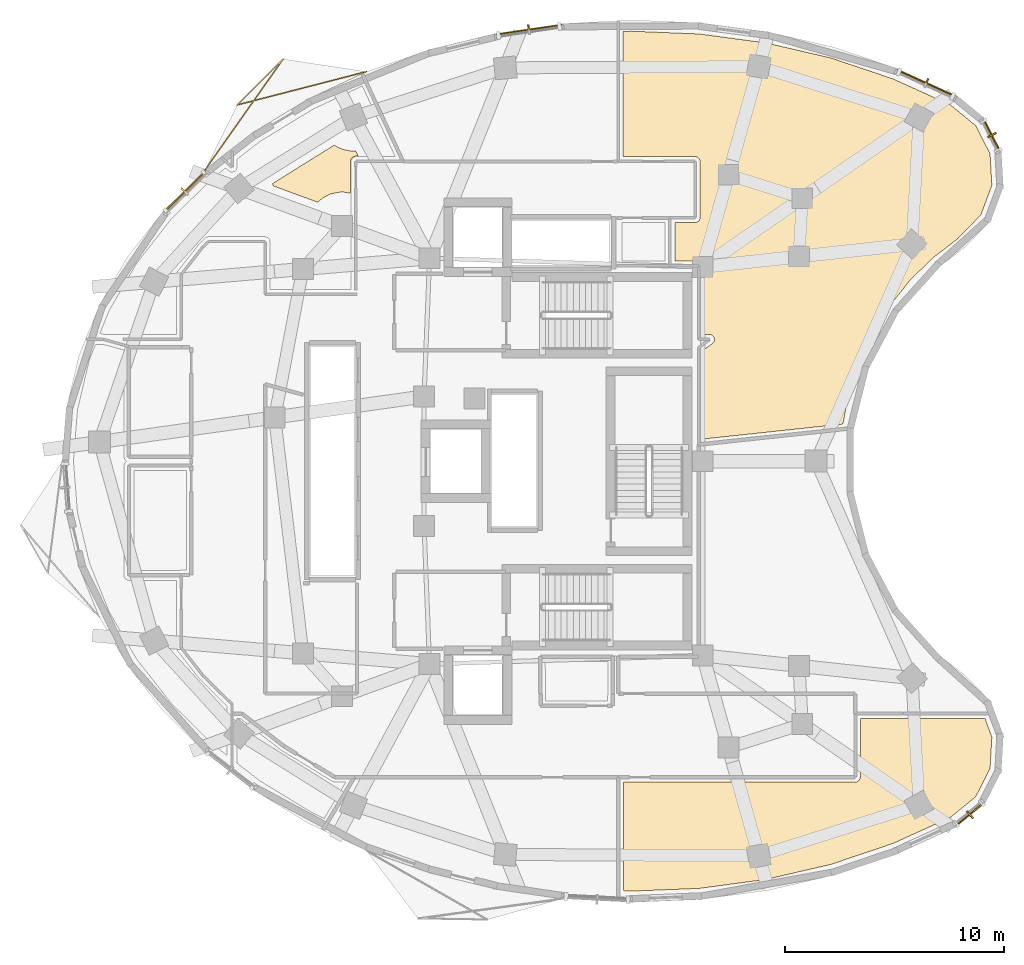
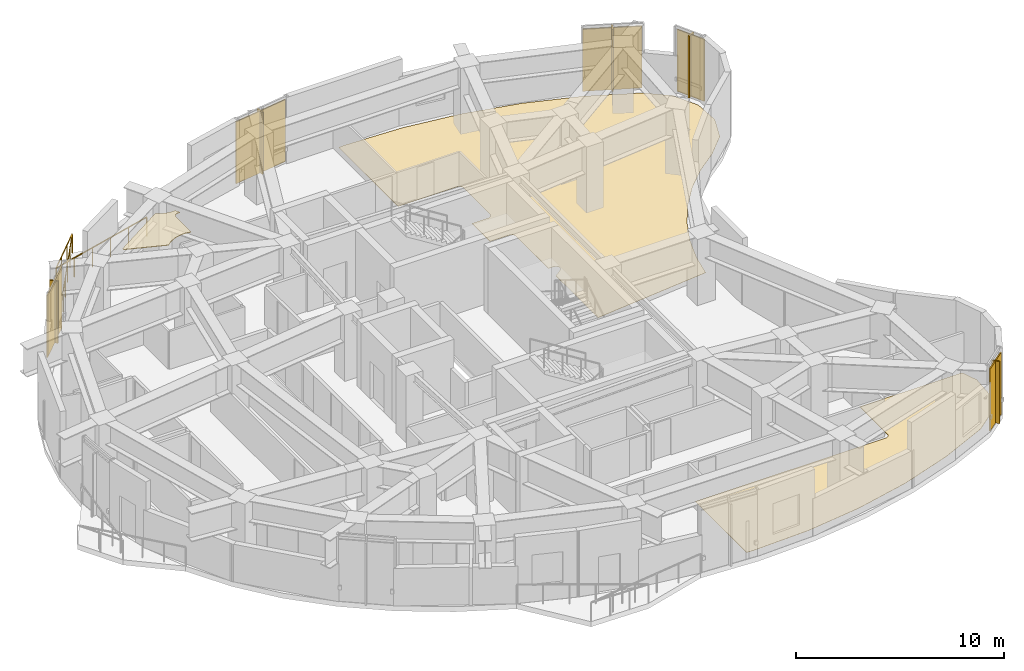
# One storey, part 13 of 13: 10 shading devices, 3 coverings, 1 railing.
"""IFC4 building model written with IfcOpenShell, lengths in metres."""

from ifc_helpers import new_model, si_unit, direction, frame, origin, origin_2d, place, context, subcontext, project, spatial, polyline, rectangle, outline, extrude, material, layer, layer_set, type_object, element, save


model = new_model("IFC4")

# Units and contexts
model_context = context("Model", 3, precision=1e-05, world=origin(), true_north=direction((0.0, 1.0)))
body_context = subcontext(model_context, "Body", "Model", "MODEL_VIEW")
ifc_project = project(units=[si_unit("LENGTHUNIT", "METRE"), si_unit("AREAUNIT", "SQUARE_METRE"), si_unit("VOLUMEUNIT", "CUBIC_METRE"), si_unit("PLANEANGLEUNIT", "RADIAN"), si_unit("MASSUNIT", "GRAM", prefix="KILO")], contexts=[model_context])

# Site, building, storey
site_placement = place(None, origin())
site = spatial("IfcSite", under=ifc_project, at=site_placement, CompositionType="ELEMENT")
building_placement = place(site_placement, origin())
building = spatial("IfcBuilding", under=site, at=building_placement, Name="Korentha Bioscience Tower", CompositionType="ELEMENT")
storey_placement = place(building_placement, frame((0.0, 0.0, 208.800048828125)))
storey = spatial("IfcBuildingStorey", under=building, at=storey_placement, Name="L48", CompositionType="ELEMENT", Elevation=208.800048828125)

# Railing
ifc_material_1 = material(Name="Laminated Tempered Safety Glass", Category="glass")
railing_type = type_object("IfcRailingType", Name="Laminated Glass Balcony Guardrail 1150", PredefinedType="BALUSTRADE", material=ifc_material_1)
railing_placement = place(storey_placement, frame((22.2265625, 44.753662109375, 0.0)))
element("IfcRailing", 1, at=railing_placement, inside=storey, type_object=railing_type, Name="L48 Balcony Guardrail 01", PredefinedType="BALUSTRADE", context=body_context, shape_type="SweptSolid", body=[
    extrude(rectangle(XDim=0.048095703125, YDim=0.048095703125, at=origin_2d()), frame((0.0, 0.0, 1.1259765625), z_axis=(-0.968338310148, -0.249641577266, 0.0), x_axis=(0.249641577266, -0.968338310148, 0.0)), (0.0, 0.0, 1.0), 6.08984375),
    extrude(rectangle(XDim=0.048095703125, YDim=0.048095703125, at=origin_2d()), frame((-5.89697265625, -1.520263671875, 1.1259765625), z_axis=(0.707682433336, 0.70653066002, 0.0), x_axis=(-0.70653066002, 0.707682433336, 0.0)), (0.0, 0.0, 1.0), 2.967529296875),
    extrude(rectangle(XDim=0.048095703125, YDim=0.048095703125, at=origin_2d()), frame((-3.796875, 0.576416015625, 1.1259765625), z_axis=(-0.576034548914, -0.81742534733, 0.0), x_axis=(0.81742534733, -0.576034548914, 0.0)), (0.0, 0.0, 1.0), 6.1787109375),
    extrude(rectangle(XDim=0.0419921875, YDim=0.0419921875, at=origin_2d()), origin(), (0.0, 0.0, 1.0), 1.101806640625),
    extrude(rectangle(XDim=0.0419921875, YDim=0.0419921875, at=origin_2d()), frame((-1.179443359375, -0.303955078125, 0.0)), (0.0, 0.0, 1.0), 1.101806640625),
    extrude(rectangle(XDim=0.0419921875, YDim=0.0419921875, at=origin_2d()), frame((-2.35888671875, -0.608154296875, 0.0)), (0.0, 0.0, 1.0), 1.101806640625),
    extrude(rectangle(XDim=0.0419921875, YDim=0.0419921875, at=origin_2d()), frame((-3.5380859375, -0.912109375, 0.0)), (0.0, 0.0, 1.0), 1.101806640625),
    extrude(rectangle(XDim=0.0419921875, YDim=0.0419921875, at=origin_2d()), frame((-4.717529296875, -1.21630859375, 0.0)), (0.0, 0.0, 1.0), 1.101806640625),
    extrude(rectangle(XDim=0.0419921875, YDim=0.0419921875, at=origin_2d()), frame((-5.89697265625, -1.520263671875, 0.0)), (0.0, 0.0, 1.0), 1.101806640625),
    extrude(rectangle(XDim=0.0419921875, YDim=0.0419921875, at=origin_2d()), frame((-5.197021484375, -0.8212890625, 0.0)), (0.0, 0.0, 1.0), 1.101806640625),
    extrude(rectangle(XDim=0.0419921875, YDim=0.0419921875, at=origin_2d()), frame((-4.496826171875, -0.12255859375, 0.0)), (0.0, 0.0, 1.0), 1.101806640625),
    extrude(rectangle(XDim=0.0419921875, YDim=0.0419921875, at=origin_2d()), frame((-3.796875, 0.576416015625, 0.0)), (0.0, 0.0, 1.0), 1.101806640625),
    extrude(rectangle(XDim=0.0419921875, YDim=0.0419921875, at=origin_2d()), frame((-4.5087890625, -0.43359375, 0.0)), (0.0, 0.0, 1.0), 1.101806640625),
    extrude(rectangle(XDim=0.0419921875, YDim=0.0419921875, at=origin_2d()), frame((-5.220458984375, -1.44384765625, 0.0)), (0.0, 0.0, 1.0), 1.101806640625),
    extrude(rectangle(XDim=0.0419921875, YDim=0.0419921875, at=origin_2d()), frame((-5.932373046875, -2.453857421875, 0.0)), (0.0, 0.0, 1.0), 1.101806640625),
    extrude(rectangle(XDim=0.0419921875, YDim=0.0419921875, at=origin_2d()), frame((-6.64404296875, -3.464111328125, 0.0)), (0.0, 0.0, 1.0), 1.101806640625),
    extrude(rectangle(XDim=0.0419921875, YDim=0.0419921875, at=origin_2d()), frame((-7.35595703125, -4.47412109375, 0.0)), (0.0, 0.0, 1.0), 1.101806640625),
])

# Covering
ifc_material_2 = material(Name="Antimicrobial Mineral Fibre Board", Category="gypsum")
ifc_layer_1 = layer(ifc_material_2, 0.034912109375, Name="Antimicrobial Mineral Fibre Board")
ifc_layer_set_1 = layer_set([ifc_layer_1], Name="Antimicrobial Mineral Fibre Board (CL-MF35)")
covering_type_1 = type_object("IfcCoveringType", Name="Mineral-Fibre Cleanroom Suspended Ceiling 35", PredefinedType="CEILING", material=ifc_layer_set_1)
covering_1_placement = place(storey_placement, frame((0.0, 0.0, 3.844970703125)))
element("IfcCovering", 2, at=covering_1_placement, inside=storey, type_object=covering_type_1, Name="L48 Colloquium Huddle Room 09 Acoustic Ceiling", PredefinedType="CEILING", context=body_context, shape_type="SweptSolid", body=[
    extrude(outline(polyline([(21.85498046875, 40.909912109375), (21.662109375, 40.89453125), (21.57568359375, 40.843017578125), (21.51513671875, 40.76171875), (21.492919921875, 40.687744140625), (21.489990234375, 39.211181640625), (21.257080078125, 39.254150390625), (21.105224609375, 39.26171875), (20.953369140625, 39.254150390625), (20.655517578125, 39.195068359375), (20.51220703125, 39.143798828125), (20.244140625, 39.00048828125), (20.003662109375, 38.801513671875), (17.959716796875, 39.54931640625), (17.947509765625, 39.65283203125), (20.755615234375, 41.40576171875), (20.90087890625, 41.31640625), (21.181884765625, 41.2001953125), (21.479736328125, 41.14111328125), (21.731689453125, 41.138427734375), (21.85498046875, 40.909912109375)])), origin(), (0.0, 0.0, 1.0), 0.034912109375),
])

# Shading devices
ifc_material_3 = material(Name="Perforated Stone-Ceramic Composite", Category="masonry")
ifc_layer_2 = layer(ifc_material_3, 0.06494140625, Name="Perforated Stone-Ceramic Composite")
ifc_layer_set_2 = layer_set([ifc_layer_2], Name="Perforated Stone-Ceramic Composite (CS-01)")
shading_device_type_1 = type_object("IfcShadingDeviceType", Name="Perforated Stone-Ceramic Solar Screen Panel 65", PredefinedType="USERDEFINED", material=ifc_layer_set_2)
shading_device_1_placement = place(storey_placement, frame((47.73828125, 44.22900390625, 0.0), z_axis=(0.0, 0.0, 1.0), x_axis=(-0.910520215031, 0.413464554733, 0.0)))
element("IfcShadingDevice", 3, at=shading_device_1_placement, inside=storey, type_object=shading_device_type_1, Name="CW-L48-01 Perforated Stone-Ceramic Solar Screen", ObjectType="SCREEN", PredefinedType="USERDEFINED", context=body_context, shape_type="SweptSolid", body=[
    extrude(rectangle(XDim=2.87060546875, YDim=0.06494140625, at=origin_2d()), origin(), (0.0, 0.0, 1.0), 3.6298828125),
])
shading_device_2_placement = place(storey_placement, frame((29.627685546875, 46.657470703125, 0.0), z_axis=(0.0, 0.0, 1.0), x_axis=(-0.989449480287, -0.144878314317, 0.0)))
element("IfcShadingDevice", 4, at=shading_device_2_placement, inside=storey, type_object=shading_device_type_1, Name="CW-L48-07 Perforated Stone-Ceramic Solar Screen", ObjectType="SCREEN", PredefinedType="USERDEFINED", context=body_context, shape_type="SweptSolid", body=[
    extrude(rectangle(XDim=3.0185546875, YDim=0.06494140625, at=origin_2d()), origin(), (0.0, 0.0, 1.0), 3.6298828125),
])
shading_device_3_placement = place(storey_placement, frame((13.948486328125, 39.283447265625, 0.0), z_axis=(0.0, 0.0, 1.0), x_axis=(-0.711177694756, -0.703012294688, 0.0)))
element("IfcShadingDevice", 5, at=shading_device_3_placement, inside=storey, type_object=shading_device_type_1, Name="CW-L48-13 Perforated Stone-Ceramic Solar Screen", ObjectType="SCREEN", PredefinedType="USERDEFINED", context=body_context, shape_type="SweptSolid", body=[
    extrude(rectangle(XDim=2.6123046875, YDim=0.06494140625, at=origin_2d()), origin(), (0.0, 0.0, 1.0), 3.6298828125),
])
shading_device_4_placement = place(storey_placement, frame((49.718017578125, 10.90087890625, 0.0), z_axis=(0.0, 0.0, 1.0), x_axis=(0.774088224596, 0.633077736571, 0.0)))
element("IfcShadingDevice", 6, at=shading_device_4_placement, inside=storey, type_object=shading_device_type_1, Name="CW-L48-37 Perforated Stone-Ceramic Solar Screen", ObjectType="SCREEN", PredefinedType="USERDEFINED", context=body_context, shape_type="SweptSolid", body=[
    extrude(rectangle(XDim=1.555419921875, YDim=0.06494140625, at=origin_2d()), origin(), (0.0, 0.0, 1.0), 3.6298828125),
])
shading_device_5_placement = place(storey_placement, frame((50.718994140625, 41.85693359375, 0.0), z_axis=(0.0, 0.0, 1.0), x_axis=(-0.454115695623, 0.89094272262, 0.0)))
element("IfcShadingDevice", 7, at=shading_device_5_placement, inside=storey, type_object=shading_device_type_1, Name="CW-L48-61 Perforated Stone-Ceramic Solar Screen", ObjectType="SCREEN", PredefinedType="USERDEFINED", context=body_context, shape_type="SweptSolid", body=[
    extrude(rectangle(XDim=1.55517578125, YDim=0.06494140625, at=origin_2d()), origin(), (0.0, 0.0, 1.0), 3.6298828125),
])

# Coverings
ifc_material_4 = material(Name="Chemical-Resistant Epoxy Resin", Category="polymer")
ifc_layer_3 = layer(ifc_material_4, 0.011962890625, Name="Chemical-Resistant Epoxy Resin")
ifc_layer_set_3 = layer_set([ifc_layer_3], Name="Chemical-Resistant Epoxy Resin (FL-EPX)")
covering_type_2 = type_object("IfcCoveringType", Name="Seamless Epoxy Laboratory Flooring 12", PredefinedType="FLOORING", material=ifc_layer_set_3)
covering_2_placement = place(storey_placement, origin())
element("IfcCovering", 8, at=covering_2_placement, inside=storey, type_object=covering_type_2, Name="L48 Peptide Synthesis Wet Lab 05 Floor Finish", PredefinedType="FLOORING", context=body_context, shape_type="SweptSolid", body=[
    extrude(outline(polyline([(33.927978515625, 12.3701171875), (44.556396484375, 12.376953125), (44.670654296875, 12.44580078125), (44.71630859375, 12.522216796875), (44.729736328125, 12.588134765625), (44.72998046875, 15.278076171875), (50.411376953125, 15.27783203125), (50.72802734375, 14.427978515625), (50.6455078125, 12.989501953125), (49.9912109375, 11.70556640625), (48.84423828125, 10.767333984375), (46.223388671875, 9.5771484375), (43.39453125, 8.62353515625), (40.43505859375, 7.93701171875), (37.38818359375, 7.528564453125), (34.298583984375, 7.40380859375), (33.927978515625, 7.42333984375), (33.927978515625, 12.3701171875)])), origin(), (0.0, 0.0, 1.0), 0.011962890625),
])
covering_3_placement = place(storey_placement, origin())
element("IfcCovering", 9, at=covering_3_placement, inside=storey, type_object=covering_type_2, Name="L48 Research Group Leader Office 07 Floor Finish", PredefinedType="FLOORING", context=body_context, shape_type="SweptSolid", body=[
    extrude(outline(polyline([(34.298583984375, 46.59619140625), (37.387939453125, 46.471435546875), (40.434814453125, 46.06298828125), (43.394287109375, 45.376708984375), (46.22314453125, 44.4228515625), (48.843994140625, 43.23291015625), (49.990966796875, 42.294677734375), (50.645263671875, 41.0107421875), (50.72802734375, 39.572021484375), (50.22509765625, 38.2216796875), (49.1728515625, 37.13720703125), (48.025634765625, 36.253662109375), (46.98974609375, 35.236328125), (46.022705078125, 34.021484375), (45.2451171875, 32.747802734375), (44.638671875, 31.41748046875), (44.185302734375, 29.98681640625), (43.942626953125, 28.69140625), (37.580078125, 28.011474609375), (37.580078125, 32.06201171875), (38.022705078125, 32.3876953125), (38.071533203125, 32.45849609375), (38.090087890625, 32.54296875), (38.05615234375, 32.66650390625), (37.960205078125, 32.751220703125), (37.877197265625, 32.771728515625), (37.580078125, 32.77197265625), (37.577392578125, 35.93408203125), (37.5576171875, 35.998779296875), (37.5048828125, 36.070068359375), (37.38427734375, 36.12744140625), (36.280029296875, 36.1298828125), (36.280029296875, 37.8701171875), (37.234130859375, 37.87255859375), (37.35400390625, 37.92919921875), (37.423095703125, 38.043701171875), (37.427490234375, 40.68408203125), (37.3974609375, 40.767822265625), (37.35400390625, 40.82080078125), (37.27783203125, 40.866455078125), (37.2119140625, 40.879638671875), (33.922119140625, 40.8798828125), (33.922119140625, 46.576416015625), (34.298583984375, 46.59619140625)])), origin(), (0.0, 0.0, 1.0), 0.011962890625),
])

# Shading devices
ifc_material_5 = material(Name="Honed Travertine Limestone", Category="masonry")
ifc_layer_4 = layer(ifc_material_5, 0.080078125, Name="Honed Travertine Limestone")
ifc_layer_set_4 = layer_set([ifc_layer_4], Name="Honed Travertine Limestone (CS-02)")
shading_device_type_2 = type_object("IfcShadingDeviceType", Name="Vertical Honed Limestone Sunshade Fin 80x420", PredefinedType="USERDEFINED", material=ifc_layer_set_4)
for number, where, z_axis, x_axis, name in (
    (10, (47.74658203125, 44.247314453125, 0.0), (0.0, 0.0, 1.0), (-0.910520215031, 0.413464554733, 0.0), "CW-L48-01 Limestone Sunshade Fin"),
    (11, (29.625, 46.67724609375, 0.0), (0.0, 0.0, 1.0), (-0.989449480287, -0.144878314317, 0.0), "CW-L48-07 Limestone Sunshade Fin"),
    (12, (13.934326171875, 39.297607421875, 0.0), (0.0, 0.0, 1.0), (-0.711177694756, -0.703012294688, 0.0), "CW-L48-13 Limestone Sunshade Fin"),
    (13, (49.730712890625, 10.88525390625, 0.0), (0.0, 0.0, 1.0), (0.774088224596, 0.633077736571, 0.0), "CW-L48-37 Limestone Sunshade Fin"),
    (14, (50.73681640625, 41.865966796875, 0.0), (0.0, 0.0, 1.0), (-0.454115695623, 0.89094272262, 0.0), "CW-L48-61 Limestone Sunshade Fin"),
):
    element("IfcShadingDevice", number, at=place(storey_placement, frame(where, z_axis=z_axis, x_axis=x_axis)), inside=storey, type_object=shading_device_type_2, Name=name, ObjectType="SCREEN", PredefinedType="USERDEFINED", context=body_context, shape_type="SweptSolid", body=[
        extrude(rectangle(XDim=0.080078125, YDim=0.419921875, at=origin_2d()), origin(), (0.0, 0.0, 1.0), 3.6298828125),
    ])

save(model, "model.ifc")
